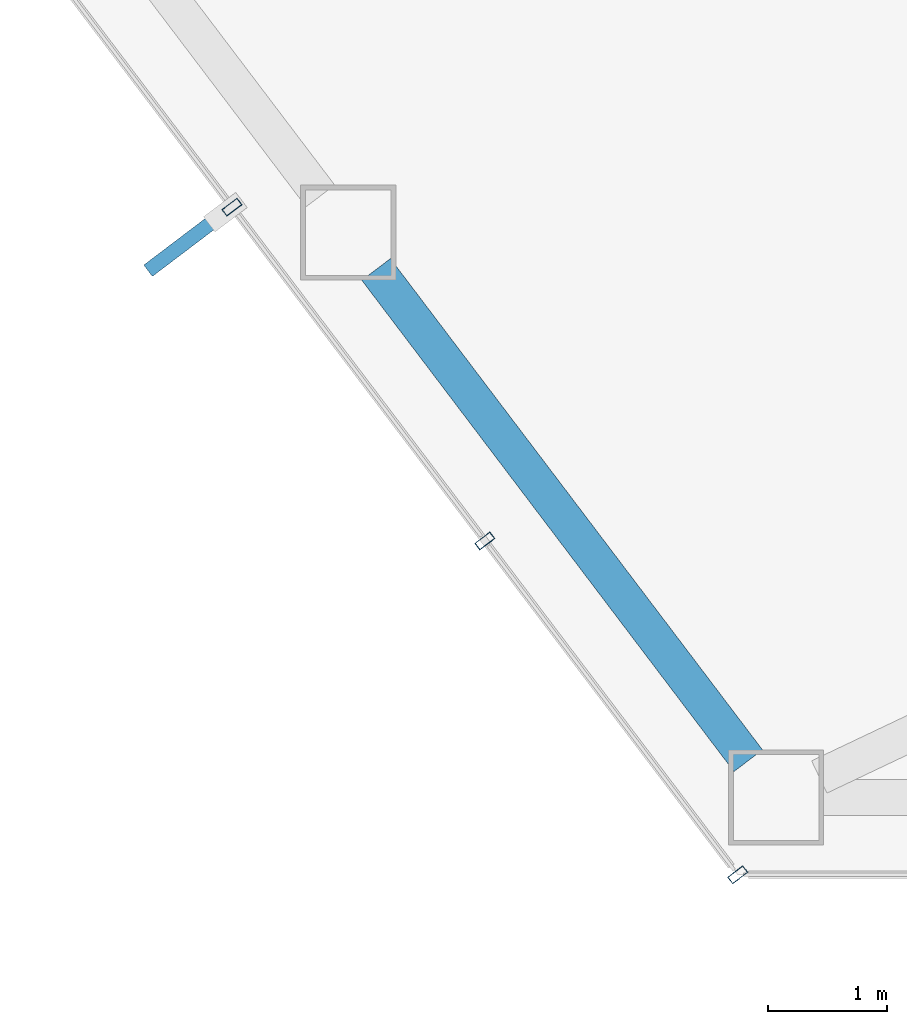
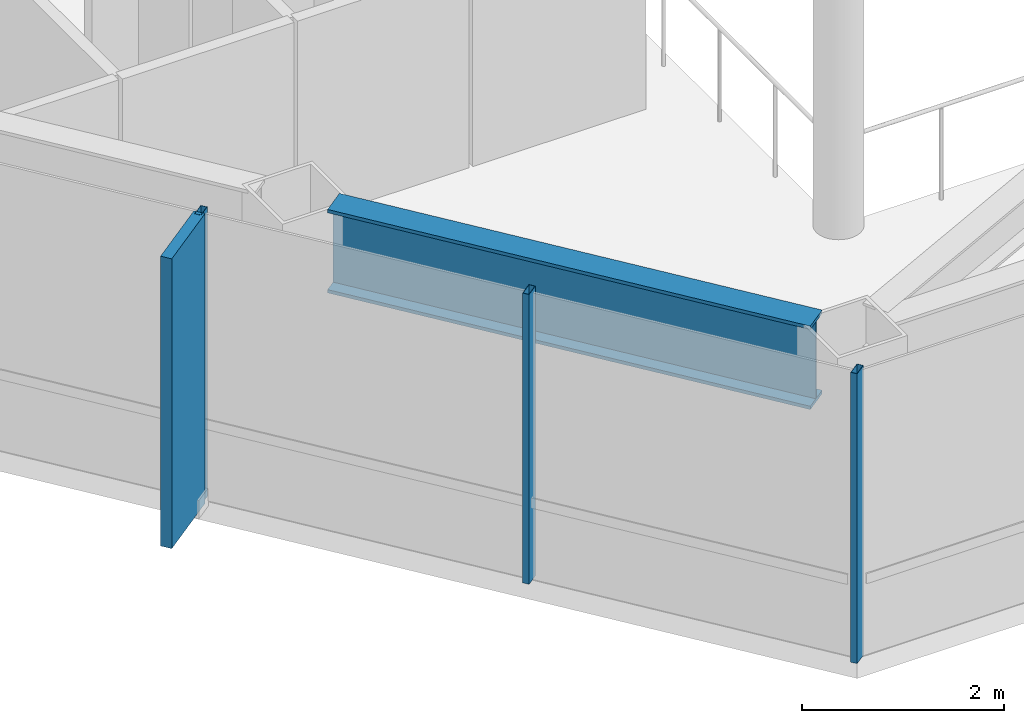
# One storey, part 2 of 28: 4 members, 1 beam, 1 element without a shape of its own.
"""IFC4 building model written with IfcOpenShell, lengths in metres."""

from ifc_helpers import new_model, si_unit, direction, frame, origin, origin_2d, place, context, subcontext, project, spatial, rectangle, hollow_rectangle, i_section, extrude, material, layer, layer_set, material_profile, profile_set, type_object, element, aggregate, save


model = new_model("IFC4")

# Units and contexts
model_context = context("Model", 3, precision=1e-05, world=origin(), true_north=direction((0.0, 1.0)))
body_context = subcontext(model_context, "Body", "Model", "MODEL_VIEW")
ifc_project = project(units=[si_unit("LENGTHUNIT", "METRE"), si_unit("AREAUNIT", "SQUARE_METRE"), si_unit("VOLUMEUNIT", "CUBIC_METRE"), si_unit("PLANEANGLEUNIT", "RADIAN"), si_unit("MASSUNIT", "GRAM", prefix="KILO")], contexts=[model_context])

# Site, building, storey
site_placement = place(None, origin())
site = spatial("IfcSite", under=ifc_project, at=site_placement, CompositionType="ELEMENT")
building_placement = place(site_placement, origin())
building = spatial("IfcBuilding", under=site, at=building_placement, Name="Zarrinselat Tower", CompositionType="ELEMENT")
storey_placement = place(building_placement, frame((0.0, 0.0, 145.860107421875)))
storey = spatial("IfcBuildingStorey", under=building, at=storey_placement, Name="L35", CompositionType="ELEMENT", Elevation=145.860107421875)

# Beam
ifc_material_1 = material(Name="Steel S460M", Category="steel")
ifc_material_profile_1 = material_profile(ifc_material_1, i_section(OverallWidth=0.302001953125, OverallDepth=1.008056640625, WebThickness=0.02099609375, FlangeThickness=0.0400390625, at=origin_2d()), Name="HEM 1000")
ifc_profile_set_1 = profile_set([ifc_material_profile_1], Name="Steel S460M")
beam_type = type_object("IfcBeamType", Name="BM-HEM1000", PredefinedType="BEAM", material=ifc_profile_set_1)
beam_placement = place(storey_placement, frame((27.177978515625, 22.922607421875, 2.995849609375), z_axis=(0.60385134038, -0.797096956914, 0.0), x_axis=(0.797096956914, 0.60385134038, 0.0)))
element("IfcBeam", 1, at=beam_placement, inside=storey, type_object=beam_type, Name="L35 Perimeter Spandrel Girder SP09", PredefinedType="BEAM", context=body_context, shape_type="SweptSolid", body=[
    extrude(i_section(OverallWidth=0.302001953125, OverallDepth=1.008056640625, WebThickness=0.02099609375, FlangeThickness=0.0400390625, at=origin_2d()), origin(), (0.0, 0.0, 1.0), 5.18359375),
])

# Curtain wall, members
ifc_material_2 = material(Name="Extruded Aluminium Alloy EN AW-6063 T6", Category="aluminium")
ifc_layer = layer(ifc_material_2, 0.175048828125)
ifc_layer_set = layer_set([ifc_layer], Name="Extruded Aluminium Alloy EN AW-6063 T6")
curtain_wall_type = type_object("IfcCurtainWallType", Name="CWS-HTL", PredefinedType="NOTDEFINED", material=ifc_layer_set)
curtain_wall_placement = place(storey_placement, origin())
curtain_wall = element("IfcCurtainWall", 2, at=curtain_wall_placement, inside=storey, type_object=curtain_wall_type, Name="L35 Unitised Curtain Wall CW-L35-E03", PredefinedType="NOTDEFINED")
ifc_material_3 = material(Name="Extruded Aluminium Alloy EN AW-6063 T6", Category="aluminium")
ifc_material_profile_2 = material_profile(ifc_material_3, hollow_rectangle(XDim=0.070068359375, YDim=0.159912109375, WallThickness=0.00390625, at=origin_2d()), Name="RHS 160x70x4")
ifc_profile_set_2 = profile_set([ifc_material_profile_2], Name="Extruded Aluminium Alloy EN AW-6063 T6")
member_type_1 = type_object("IfcMemberType", Name="MEM-CW-MUL2", PredefinedType="MULLION", material=ifc_profile_set_2)
member_1_placement = place(storey_placement, frame((25.9658203125, 23.4462890625, 0.0), z_axis=(0.0, 0.0, 1.0), x_axis=(0.603856985167, -0.7970926806, 0.0)))
member_1 = element("IfcMember", 3, at=member_1_placement, type_object=member_type_1, Name="CW-L35-E03 Mullion 5", PredefinedType="MULLION", context=body_context, shape_type="SweptSolid", body=[
    extrude(hollow_rectangle(XDim=0.070068359375, YDim=0.159912109375, WallThickness=0.00390625, at=origin_2d()), origin(), (0.0, 0.0, 1.0), 3.5),
])
member_2_placement = place(storey_placement, frame((28.0927734375, 20.638916015625, 0.0), z_axis=(0.0, 0.0, 1.0), x_axis=(0.603856985167, -0.7970926806, 0.0)))
member_2 = element("IfcMember", 4, at=member_2_placement, type_object=member_type_1, Name="CW-L35-E03 Mullion 6", PredefinedType="MULLION", context=body_context, shape_type="SweptSolid", body=[
    extrude(hollow_rectangle(XDim=0.070068359375, YDim=0.159912109375, WallThickness=0.00390625, at=origin_2d()), origin(), (0.0, 0.0, 1.0), 3.5),
])
member_3_placement = place(storey_placement, frame((30.219482421875, 17.83154296875, 0.0), z_axis=(0.0, 0.0, 1.0), x_axis=(0.603856985167, -0.7970926806, 0.0)))
member_3 = element("IfcMember", 5, at=member_3_placement, type_object=member_type_1, Name="CW-L35-E03 Mullion 7", PredefinedType="MULLION", context=body_context, shape_type="SweptSolid", body=[
    extrude(hollow_rectangle(XDim=0.070068359375, YDim=0.159912109375, WallThickness=0.00390625, at=origin_2d()), origin(), (0.0, 0.0, 1.0), 3.5),
])
ifc_material_4 = material(Name="Honed Cream Travertine Stone", Category="masonry")
ifc_material_profile_3 = material_profile(ifc_material_4, rectangle(XDim=0.1201171875, YDim=0.85009765625, at=origin_2d()), Name="FIN 850x120")
ifc_profile_set_3 = profile_set([ifc_material_profile_3], Name="Honed Cream Travertine Stone")
member_type_2 = type_object("IfcMemberType", Name="MEM-STONE-FIN", PredefinedType="USERDEFINED", material=ifc_profile_set_3)
member_4_placement = place(storey_placement, frame((25.59912109375, 23.16845703125, 0.0), z_axis=(0.0, 0.0, 1.0), x_axis=(-0.603856985167, 0.7970926806, 0.0)))
member_4 = element("IfcMember", 6, at=member_4_placement, type_object=member_type_2, Name="L35 Stone Shading Fin CW-L35-E03-05", ObjectType="FIN", PredefinedType="USERDEFINED", context=body_context, shape_type="SweptSolid", body=[
    extrude(rectangle(XDim=0.1201171875, YDim=0.85009765625, at=origin_2d()), origin(), (0.0, 0.0, 1.0), 3.5),
])
aggregate(curtain_wall, [member_1, member_4, member_2, member_3])

save(model, "model.ifc")
